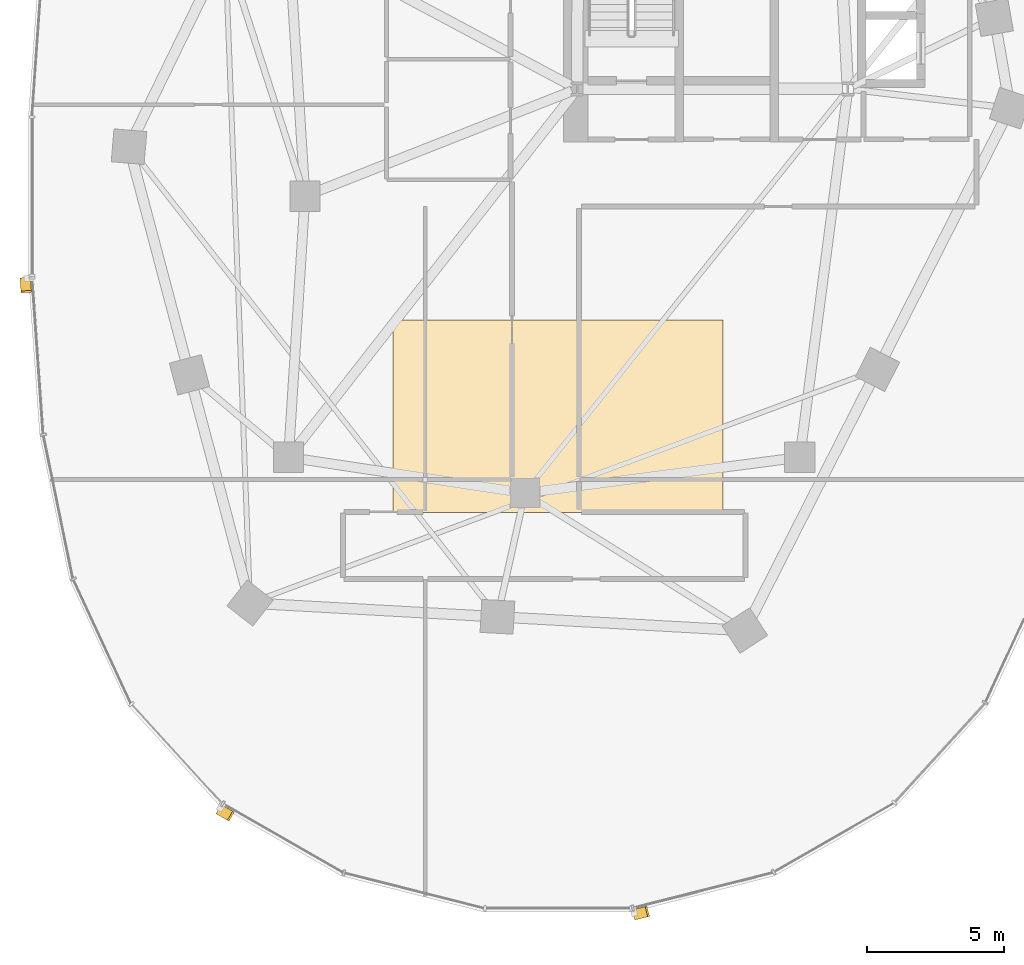
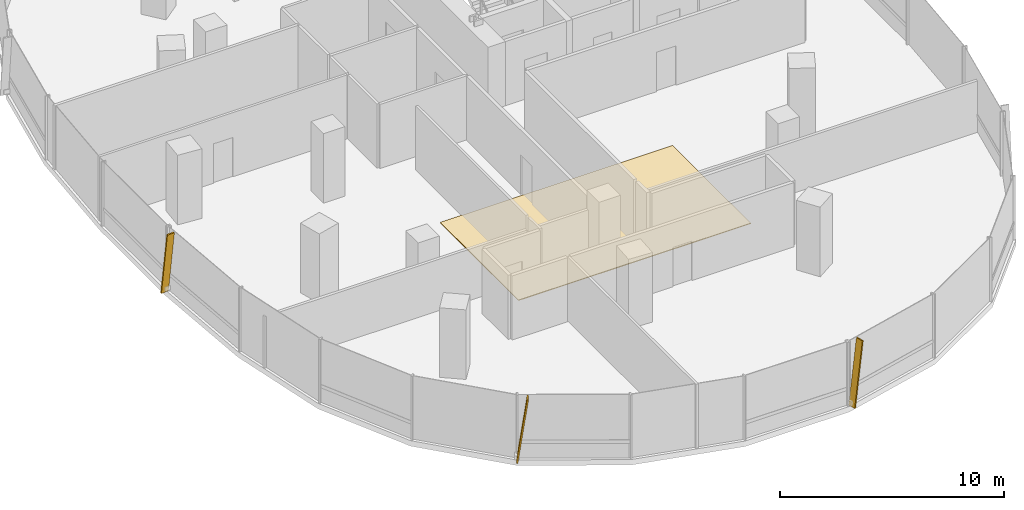
# One storey, part 17 of 21: 3 shading devices, 1 covering.
"""IFC4 building model written with IfcOpenShell, lengths in metres."""

from ifc_helpers import new_model, si_unit, direction, frame, origin, origin_2d, place, context, subcontext, project, spatial, polyline, rectangle, outline, extrude, material, layer, layer_set, material_profile, profile_set, type_object, element, save


model = new_model("IFC4")

# Units and contexts
model_context = context("Model", 3, precision=1e-05, world=origin(), true_north=direction((0.0, 1.0)))
body_context = subcontext(model_context, "Body", "Model", "MODEL_VIEW")
ifc_project = project(units=[si_unit("LENGTHUNIT", "METRE"), si_unit("AREAUNIT", "SQUARE_METRE"), si_unit("VOLUMEUNIT", "CUBIC_METRE"), si_unit("PLANEANGLEUNIT", "RADIAN"), si_unit("MASSUNIT", "GRAM", prefix="KILO"), si_unit("THERMODYNAMICTEMPERATUREUNIT", "KELVIN"), si_unit("POWERUNIT", "WATT")], contexts=[model_context])

# Site, building, storey
site_placement = place(None, origin())
site = spatial("IfcSite", under=ifc_project, at=site_placement, CompositionType="ELEMENT")
building_placement = place(site_placement, origin())
building = spatial("IfcBuilding", under=site, at=building_placement, Name="Cundina Bronze Exchange", CompositionType="ELEMENT")
storey_placement = place(building_placement, frame((0.0, 0.0, 46.800048828125)))
storey = spatial("IfcBuildingStorey", under=building, at=storey_placement, Name="L11", CompositionType="ELEMENT", Elevation=46.800048828125)

# Covering
ifc_material_1 = material(Name="Raised Access Steel-Cementitious Floor Panel 40mm", Category="steel")
ifc_layer = layer(ifc_material_1, 0.0400390625, Name="Raised Access Steel-Cementitious Floor Panel 40mm", Category="steel")
ifc_layer_set = layer_set([ifc_layer], Name="Raised Access Steel-Cementitious Floor Panel 40mm")
covering_type = type_object("IfcCoveringType", Name="COV-FLR-RAF40", PredefinedType="FLOORING", material=ifc_layer_set)
covering_placement = place(storey_placement, origin())
element("IfcCovering", 1, at=covering_placement, inside=storey, type_object=covering_type, Name="L11 W UFAD Raised Access Trading Floor", PredefinedType="FLOORING", context=body_context, shape_type="SweptSolid", body=[
    extrude(outline(polyline([(-38.0, -11.5), (-26.0, -11.5), (-26.0, -4.5), (-38.0, -4.5), (-38.0, -11.5)])), origin(), (0.0, 0.0, 1.0), 0.0400390625),
])

# Shading devices
ifc_material_2 = material(Name="Anodised Bronze Aluminium 6063-T6", Category="aluminium")
ifc_material_profile = material_profile(ifc_material_2, rectangle(XDim=0.070068359375, YDim=0.3798828125, at=origin_2d()), Name="FIN70X380", Category="aluminium")
ifc_profile_set = profile_set([ifc_material_profile], Name="Anodised Bronze Aluminium 6063-T6")
shading_device_type = type_object("IfcShadingDeviceType", Name="SHD-FIN-BRZ380", PredefinedType="USERDEFINED", material=ifc_profile_set)
for number, where, z_axis, x_axis, name in (
    (2, (-51.3740234375, -2.993896484375, 0.02001953125), (0.009645159174, -0.137059109714, 0.990515911709), (-0.06953288269, 0.988072340253, 0.137398066402), "L11 Diagonal Bronze Solar Fin 1"),
    (3, (-44.314208984375, -22.314208984375, 0.02001953125), (0.119166378275, -0.06842456559, 0.990513731915), (-0.85898178632, 0.493221799887, 0.137413779831), "L11 Diagonal Bronze Solar Fin 5"),
    (4, (-29.212646484375, -26.138427734375, 0.02001953125), (0.133214830938, 0.033688115694, 0.990514472221), (-0.960284642503, -0.242842181368, 0.137408443412), "L11 Diagonal Bronze Solar Fin 1"),
):
    element("IfcShadingDevice", number, at=place(storey_placement, frame(where, z_axis=z_axis, x_axis=x_axis)), inside=storey, type_object=shading_device_type, Name=name, ObjectType="FIN", PredefinedType="USERDEFINED", context=body_context, shape_type="SweptSolid", body=[
        extrude(rectangle(XDim=0.070068359375, YDim=0.3798828125, at=origin_2d()), origin(), (0.0, 0.0, 1.0), 3.4931640625),
    ])

save(model, "model.ifc")
